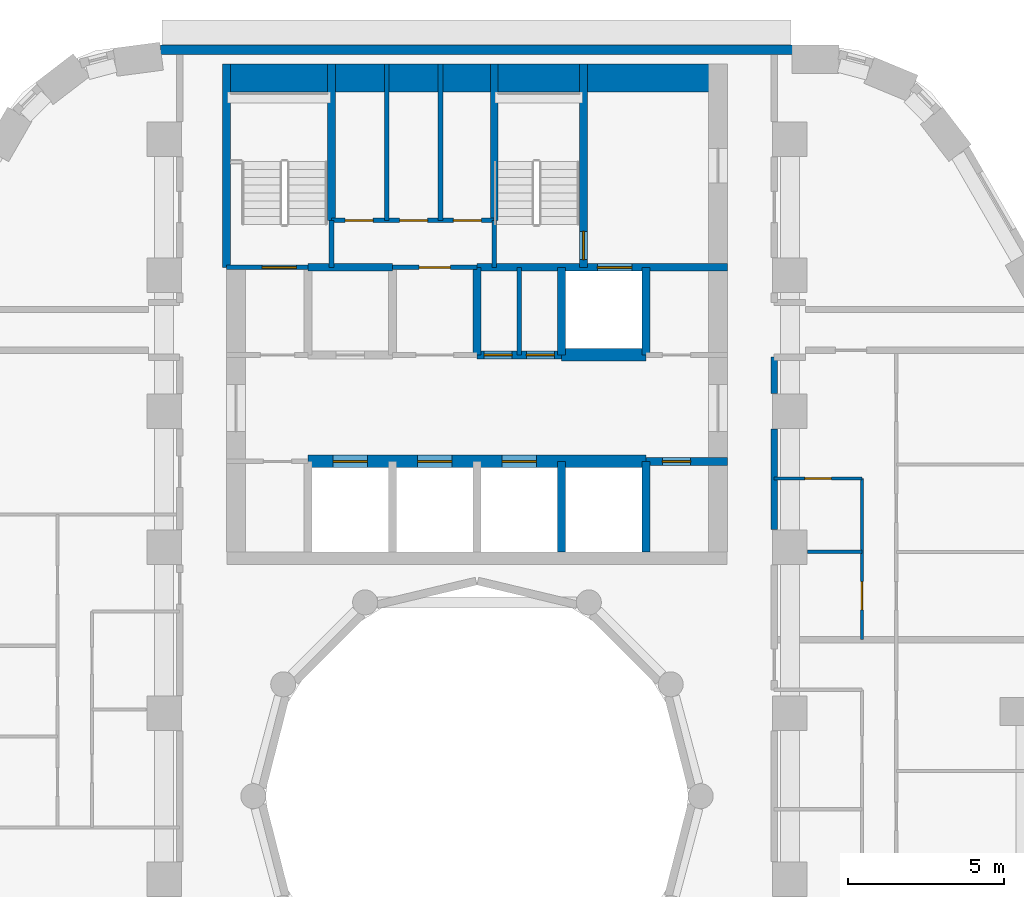
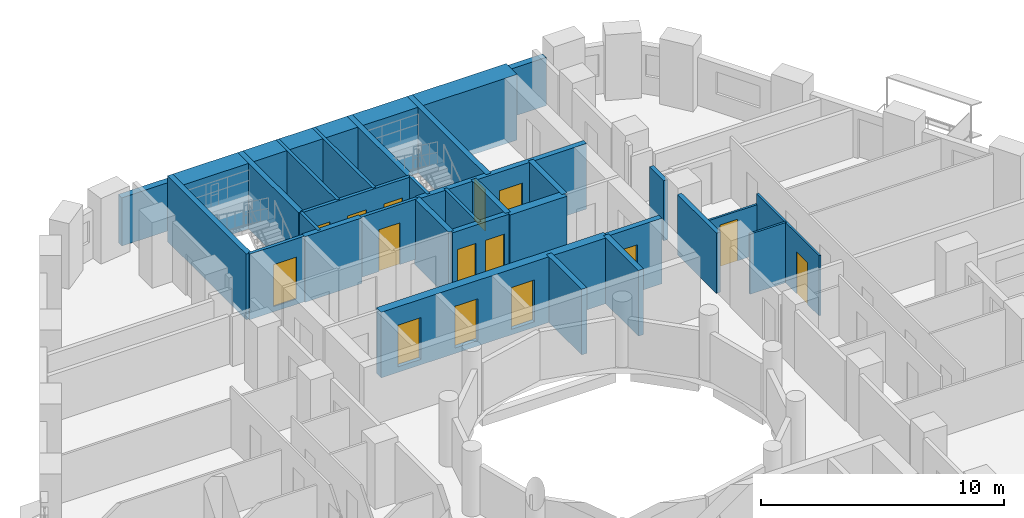
# One storey, part 8 of 13: 30 walls, 15 doors, 15 openings.
"""IFC4 building model written with IfcOpenShell, lengths in metres."""

from ifc_helpers import new_model, si_unit, direction, frame, frame_2d, origin, place, context, subcontext, project, spatial, rectangle, extrude, material, layer, layer_set, type_object, element, fill, save


model = new_model("IFC4")

# Units and contexts
model_context = context("Model", 3, precision=1e-05, world=origin(), true_north=direction((0.0, 1.0)))
body_context = subcontext(model_context, "Body", "Model", "MODEL_VIEW")
ifc_project = project(units=[si_unit("LENGTHUNIT", "METRE"), si_unit("AREAUNIT", "SQUARE_METRE"), si_unit("VOLUMEUNIT", "CUBIC_METRE"), si_unit("PLANEANGLEUNIT", "RADIAN"), si_unit("MASSUNIT", "GRAM", prefix="KILO")], contexts=[model_context])

# Site, building, storey
site_placement = place(None, origin())
site = spatial("IfcSite", under=ifc_project, at=site_placement, CompositionType="ELEMENT")
building_placement = place(site_placement, origin())
building = spatial("IfcBuilding", under=site, at=building_placement, Name="Nakaniwa Court", CompositionType="ELEMENT")
storey_placement = place(building_placement, frame((0.0, 0.0, 64.5)))
storey = spatial("IfcBuildingStorey", under=building, at=storey_placement, Name="L17", CompositionType="ELEMENT", Elevation=64.5)

# Walls
ifc_material_1 = material(Name="Acoustic double stud partition")
ifc_layer_1 = layer(ifc_material_1, 0.199951171875)
ifc_layer_set_1 = layer_set([ifc_layer_1], Name="Acoustic double stud partition")
wall_type_1 = type_object("IfcWallType", Name="Acoustic double stud partition 200", PredefinedType="PARTITIONING", material=ifc_layer_set_1)
wall_1_placement = place(storey_placement, frame((89.5, 88.51708984375, 0.0), z_axis=(0.0, 0.0, 1.0), x_axis=(0.0, 1.0, 0.0)))
element("IfcWall", 1, at=wall_1_placement, inside=storey, type_object=wall_type_1, Name="Partition PW-079", PredefinedType="PARTITIONING", context=body_context, shape_type="SweptSolid", body=[
    extrude(rectangle(XDim=3.2158203125, YDim=0.199951171875, at=frame_2d((1.60791015625, 0.0))), origin(), (0.0, 0.0, 1.0), 3.02490234375),
])
wall_2_placement = place(storey_placement, frame((89.5, 92.866943359375, 0.0), z_axis=(0.0, 0.0, 1.0), x_axis=(0.0, 1.0, 0.0)))
element("IfcWall", 2, at=wall_2_placement, inside=storey, type_object=wall_type_1, Name="Partition PW-080", PredefinedType="PARTITIONING", context=body_context, shape_type="SweptSolid", body=[
    extrude(rectangle(XDim=1.1611328125, YDim=0.199951171875, at=frame_2d((0.58056640625, 0.0))), origin(), (0.0, 0.0, 1.0), 3.02490234375),
])
ifc_material_2 = material(Name="Charcoal ceramic cladding")
ifc_layer_2 = layer(ifc_material_2, 0.02, Name="Ceramic cladding")
ifc_material_3 = material(Name="Ventilated air cavity")
ifc_layer_3 = layer(ifc_material_3, 0.04, ventilated=True, Name="Ventilated cavity")
ifc_material_4 = material(Name="Mineral wool insulation")
ifc_layer_4 = layer(ifc_material_4, 0.1, Name="Insulation")
ifc_material_5 = material(Name="Cement bonded sheathing board")
ifc_layer_5 = layer(ifc_material_5, 0.012, Name="Sheathing")
ifc_material_6 = material(Name="Cold-formed galvanised stud frame with mineral wool infill")
ifc_layer_6 = layer(ifc_material_6, 0.1, Name="Stud frame")
ifc_material_7 = material(Name="Fire-rated gypsum plasterboard lining")
ifc_layer_7 = layer(ifc_material_7, 0.028, Name="Lining")
ifc_layer_set_2 = layer_set([ifc_layer_2, ifc_layer_3, ifc_layer_4, ifc_layer_5, ifc_layer_6, ifc_layer_7], Name="Charcoal ceramic faced external wall system")
wall_type_2 = type_object("IfcWallType", Name="Black ceramic faced external wall 300", PredefinedType="SOLIDWALL", material=ifc_layer_set_2)
wall_3_placement = place(storey_placement, frame((90.07861328125, 103.85009765625, 0.0), z_axis=(0.0, 0.0, 1.0), x_axis=(-1.0, 0.0, 0.0)))
element("IfcWall", 3, at=wall_3_placement, inside=storey, type_object=wall_type_2, Name="L17 external wall 08", PredefinedType="SOLIDWALL", context=body_context, shape_type="SweptSolid", body=[
    extrude(rectangle(XDim=20.1904296875, YDim=0.300048828125, at=frame_2d((10.09521484375, 0.0))), origin(), (0.0, 0.0, 1.0), 2.425048828125),
])

# Wall, opening, door
ifc_material_8 = material(Name="Blockwork partition", Category="masonry")
ifc_layer_8 = layer(ifc_material_8, 0.14990234375)
ifc_layer_set_3 = layer_set([ifc_layer_8], Name="Blockwork partition")
wall_type_3 = type_object("IfcWallType", Name="Blockwork partition 150", PredefinedType="PARTITIONING", material=ifc_layer_set_3)
wall_4_placement = place(storey_placement, frame((77.300048828125, 96.89990234375, 0.0), z_axis=(0.0, 0.0, 1.0), x_axis=(1.0, 0.0, 0.0)))
wall_4 = element("IfcWall", 4, at=wall_4_placement, inside=storey, type_object=wall_type_3, Name="Partition PW-025", PredefinedType="PARTITIONING", context=body_context, shape_type="SweptSolid", body=[
    extrude(rectangle(XDim=2.699951171875, YDim=0.14990234375, at=frame_2d((1.35009765625, 0.0))), origin(), (0.0, 0.0, 1.0), 3.02490234375),
])
opening_1_placement = place(wall_4_placement, frame((0.85009765625, 0.0, 0.0)))
opening_1 = element("IfcOpeningElement", 5, at=opening_1_placement, cuts=wall_4, Name="Opening D-23-01", PredefinedType="OPENING", context=body_context, shape_type="SweptSolid", body=[
    extrude(rectangle(XDim=1.0, YDim=2.10009765625, at=frame_2d((0.5, 1.050048828125))), frame((0.0, 0.0849609375, 0.0), z_axis=(0.0, -1.0, 0.0), x_axis=(1.0, 0.0, 0.0)), (0.0, 0.0, 1.0), 0.169921875),
])
ifc_material_9 = material(Name="Fire rated steel door set", Category="steel")
door_type_1 = type_object("IfcDoorType", Name="Service room door 1000", OperationType="NOTDEFINED", PredefinedType="DOOR", material=ifc_material_9)
door_1_placement = place(opening_1_placement, origin())
door_1 = element("IfcDoor", 6, at=door_1_placement, inside=storey, type_object=door_type_1, Name="Door D-23-01 L17-009", OperationType="SINGLE_SWING_RIGHT", OverallHeight=2.10009765625, OverallWidth=1.0, PredefinedType="DOOR", context=body_context, shape_type="SweptSolid", body=[
    extrude(rectangle(XDim=1.0, YDim=2.10009765625, at=frame_2d((0.5, 1.050048828125))), frame((0.0, 0.02490234375, 0.0), z_axis=(0.0, -1.0, 0.0), x_axis=(1.0, 0.0, 0.0)), (0.0, 0.0, 1.0), 0.050048828125),
])
fill(opening_1, door_1)

# Wall
wall_5_placement = place(storey_placement, frame((81.35009765625, 94.10009765625, 0.0), z_axis=(0.0, 0.0, 1.0), x_axis=(0.0, 1.0, 0.0)))
element("IfcWall", 7, at=wall_5_placement, inside=storey, type_object=wall_type_3, Name="Partition PW-026", PredefinedType="PARTITIONING", context=body_context, shape_type="SweptSolid", body=[
    extrude(rectangle(XDim=2.7998046875, YDim=0.14990234375, at=frame_2d((1.39990234375, 0.0))), origin(), (0.0, 0.0, 1.0), 3.02490234375),
])

# Wall, openings, doors
wall_6_placement = place(storey_placement, frame((75.35009765625, 98.39990234375, 0.0), z_axis=(0.0, 0.0, 1.0), x_axis=(1.0, 0.0, 0.0)))
wall_6 = element("IfcWall", 8, at=wall_6_placement, inside=storey, type_object=wall_type_3, Name="Partition PW-033", PredefinedType="PARTITIONING", context=body_context, shape_type="SweptSolid", body=[
    extrude(rectangle(XDim=5.199951171875, YDim=0.14990234375, at=frame_2d((2.60009765625, 0.0))), origin(), (0.0, 0.0, 1.0), 3.02490234375),
])
opening_2_placement = place(wall_6_placement, frame((0.43408203125, 0.0, 0.0)))
opening_2 = element("IfcOpeningElement", 9, at=opening_2_placement, cuts=wall_6, Name="Opening D-05-07", PredefinedType="OPENING", context=body_context, shape_type="SweptSolid", body=[
    extrude(rectangle(XDim=0.89990234375, YDim=2.10009765625, at=frame_2d((0.449951171875, 1.050048828125))), frame((0.0, 0.0849609375, 0.0), z_axis=(0.0, -1.0, 0.0), x_axis=(1.0, 0.0, 0.0)), (0.0, 0.0, 1.0), 0.169921875),
])
opening_3_placement = place(wall_6_placement, frame((2.176025390625, 0.0, 0.0)))
opening_3 = element("IfcOpeningElement", 10, at=opening_3_placement, cuts=wall_6, Name="Opening D-05-08", PredefinedType="OPENING", context=body_context, shape_type="SweptSolid", body=[
    extrude(rectangle(XDim=0.89990234375, YDim=2.10009765625, at=frame_2d((0.449951171875, 1.050048828125))), frame((0.0, 0.0849609375, 0.0), z_axis=(0.0, -1.0, 0.0), x_axis=(1.0, 0.0, 0.0)), (0.0, 0.0, 1.0), 0.169921875),
])
opening_4_placement = place(wall_6_placement, frame((3.89208984375, 0.0, 0.0)))
opening_4 = element("IfcOpeningElement", 11, at=opening_4_placement, cuts=wall_6, Name="Opening D-05-09", PredefinedType="OPENING", context=body_context, shape_type="SweptSolid", body=[
    extrude(rectangle(XDim=0.89990234375, YDim=2.10009765625, at=frame_2d((0.449951171875, 1.050048828125))), frame((0.0, 0.0849609375, 0.0), z_axis=(0.0, -1.0, 0.0), x_axis=(1.0, 0.0, 0.0)), (0.0, 0.0, 1.0), 0.169921875),
])
door_type_2 = type_object("IfcDoorType", Name="Service room door 900", OperationType="NOTDEFINED", PredefinedType="DOOR", material=ifc_material_9)
door_2_placement = place(opening_2_placement, origin())
door_2 = element("IfcDoor", 12, at=door_2_placement, inside=storey, type_object=door_type_2, Name="Door D-05-07 L17-010", OperationType="SINGLE_SWING_LEFT", OverallHeight=2.10009765625, OverallWidth=0.89990234375, PredefinedType="DOOR", context=body_context, shape_type="SweptSolid", body=[
    extrude(rectangle(XDim=0.89990234375, YDim=2.10009765625, at=frame_2d((0.449951171875, 1.050048828125))), frame((0.0, 0.02490234375, 0.0), z_axis=(0.0, -1.0, 0.0), x_axis=(1.0, 0.0, 0.0)), (0.0, 0.0, 1.0), 0.050048828125),
])
fill(opening_2, door_2)
door_3_placement = place(opening_3_placement, origin())
door_3 = element("IfcDoor", 13, at=door_3_placement, inside=storey, type_object=door_type_2, Name="Door D-05-08 L17-011", OperationType="SINGLE_SWING_RIGHT", OverallHeight=2.10009765625, OverallWidth=0.89990234375, PredefinedType="DOOR", context=body_context, shape_type="SweptSolid", body=[
    extrude(rectangle(XDim=0.89990234375, YDim=2.10009765625, at=frame_2d((0.449951171875, 1.050048828125))), frame((0.0, 0.02490234375, 0.0), z_axis=(0.0, -1.0, 0.0), x_axis=(1.0, 0.0, 0.0)), (0.0, 0.0, 1.0), 0.050048828125),
])
fill(opening_3, door_3)
door_4_placement = place(opening_4_placement, origin())
door_4 = element("IfcDoor", 14, at=door_4_placement, inside=storey, type_object=door_type_2, Name="Door D-05-09 L17-012", OperationType="SINGLE_SWING_LEFT", OverallHeight=2.10009765625, OverallWidth=0.89990234375, PredefinedType="DOOR", context=body_context, shape_type="SweptSolid", body=[
    extrude(rectangle(XDim=0.89990234375, YDim=2.10009765625, at=frame_2d((0.449951171875, 1.050048828125))), frame((0.0, 0.02490234375, 0.0), z_axis=(0.0, -1.0, 0.0), x_axis=(1.0, 0.0, 0.0)), (0.0, 0.0, 1.0), 0.050048828125),
])
fill(opening_4, door_4)

# Walls
for number, where, z_axis, x_axis, name in (
    (15, (77.117919921875, 98.39990234375, 0.0), (0.0, 0.0, 1.0), (0.0, 1.0, 0.0), "Partition PW-034"),
    (16, (78.833984375, 98.39990234375, 0.0), (0.0, 0.0, 1.0), (0.0, 1.0, 0.0), "Partition PW-035"),
):
    element("IfcWall", number, at=place(storey_placement, frame(where, z_axis=z_axis, x_axis=x_axis)), inside=storey, type_object=wall_type_3, Name=name, PredefinedType="PARTITIONING", context=body_context, shape_type="SweptSolid", body=[
        extrude(rectangle(XDim=5.0, YDim=0.14990234375, at=frame_2d((2.5, 0.0))), origin(), (0.0, 0.0, 1.0), 3.02490234375),
    ])

# Wall, openings, doors
ifc_material_10 = material(Name="Concrete C100/115", Category="concrete")
ifc_layer_9 = layer(ifc_material_10, 0.39990234375)
ifc_layer_set_4 = layer_set([ifc_layer_9], Name="Concrete C100/115")
wall_type_4 = type_object("IfcWallType", Name="Concrete core spine wall 400 C100", PredefinedType="SHEAR", material=ifc_layer_set_4)
wall_7_placement = place(storey_placement, frame((74.60009765625, 90.699951171875, -0.27490234375), z_axis=(0.0, 0.0, 1.0), x_axis=(1.0, 0.0, 0.0)))
wall_7 = element("IfcWall", 17, at=wall_7_placement, inside=storey, type_object=wall_type_4, Name="Core wall SW-07", PredefinedType="SHEAR", context=body_context, shape_type="SweptSolid", body=[
    extrude(rectangle(XDim=10.7998046875, YDim=0.39990234375, at=frame_2d((5.39990234375, 0.0))), origin(), (0.0, 0.0, 1.0), 3.2998046875),
])
opening_5_placement = place(wall_7_placement, frame((0.800048828125, 0.0, 0.27490234375)))
opening_5 = element("IfcOpeningElement", 18, at=opening_5_placement, cuts=wall_7, Name="Opening LD01", PredefinedType="OPENING", context=body_context, shape_type="SweptSolid", body=[
    extrude(rectangle(XDim=1.10009765625, YDim=2.10009765625, at=frame_2d((0.550048828125, 1.050048828125))), frame((0.0, 0.2099609375, 0.0), z_axis=(0.0, -1.0, 0.0), x_axis=(1.0, 0.0, 0.0)), (0.0, 0.0, 1.0), 0.419921875),
])
opening_6_placement = place(wall_7_placement, frame((3.5, 0.0, 0.27490234375)))
opening_6 = element("IfcOpeningElement", 19, at=opening_6_placement, cuts=wall_7, Name="Opening LD02", PredefinedType="OPENING", context=body_context, shape_type="SweptSolid", body=[
    extrude(rectangle(XDim=1.10009765625, YDim=2.10009765625, at=frame_2d((0.550048828125, 1.050048828125))), frame((0.0, 0.2099609375, 0.0), z_axis=(0.0, -1.0, 0.0), x_axis=(1.0, 0.0, 0.0)), (0.0, 0.0, 1.0), 0.419921875),
])
opening_7_placement = place(wall_7_placement, frame((6.199951171875, 0.0, 0.27490234375)))
opening_7 = element("IfcOpeningElement", 20, at=opening_7_placement, cuts=wall_7, Name="Opening LD03", PredefinedType="OPENING", context=body_context, shape_type="SweptSolid", body=[
    extrude(rectangle(XDim=1.10009765625, YDim=2.10009765625, at=frame_2d((0.550048828125, 1.050048828125))), frame((0.0, 0.2099609375, 0.0), z_axis=(0.0, -1.0, 0.0), x_axis=(1.0, 0.0, 0.0)), (0.0, 0.0, 1.0), 0.419921875),
])
ifc_material_11 = material(Name="Stainless steel sliding lift landing door", Category="steel")
door_type_3 = type_object("IfcDoorType", Name="Lift landing door 1100", OperationType="NOTDEFINED", PredefinedType="DOOR", material=ifc_material_11)
door_5_placement = place(opening_5_placement, origin())
door_5 = element("IfcDoor", 21, at=door_5_placement, inside=storey, type_object=door_type_3, Name="Lift landing door LD01 L17-001", OperationType="SLIDING_TO_LEFT", OverallHeight=2.10009765625, OverallWidth=1.10009765625, PredefinedType="DOOR", context=body_context, shape_type="SweptSolid", body=[
    extrude(rectangle(XDim=1.10009765625, YDim=2.10009765625, at=frame_2d((0.550048828125, 1.050048828125))), frame((0.0, 0.02490234375, 0.0), z_axis=(0.0, -1.0, 0.0), x_axis=(1.0, 0.0, 0.0)), (0.0, 0.0, 1.0), 0.050048828125),
])
fill(opening_5, door_5)
door_6_placement = place(opening_6_placement, origin())
door_6 = element("IfcDoor", 22, at=door_6_placement, inside=storey, type_object=door_type_3, Name="Lift landing door LD02 L17-002", OperationType="SLIDING_TO_LEFT", OverallHeight=2.10009765625, OverallWidth=1.10009765625, PredefinedType="DOOR", context=body_context, shape_type="SweptSolid", body=[
    extrude(rectangle(XDim=1.10009765625, YDim=2.10009765625, at=frame_2d((0.550048828125, 1.050048828125))), frame((0.0, 0.02490234375, 0.0), z_axis=(0.0, -1.0, 0.0), x_axis=(1.0, 0.0, 0.0)), (0.0, 0.0, 1.0), 0.050048828125),
])
fill(opening_6, door_6)
door_7_placement = place(opening_7_placement, origin())
door_7 = element("IfcDoor", 23, at=door_7_placement, inside=storey, type_object=door_type_3, Name="Lift landing door LD03 L17-003", OperationType="SLIDING_TO_LEFT", OverallHeight=2.10009765625, OverallWidth=1.10009765625, PredefinedType="DOOR", context=body_context, shape_type="SweptSolid", body=[
    extrude(rectangle(XDim=1.10009765625, YDim=2.10009765625, at=frame_2d((0.550048828125, 1.050048828125))), frame((0.0, 0.02490234375, 0.0), z_axis=(0.0, -1.0, 0.0), x_axis=(1.0, 0.0, 0.0)), (0.0, 0.0, 1.0), 0.050048828125),
])
fill(opening_7, door_7)

# Wall
wall_8_placement = place(storey_placement, frame((82.697021484375, 94.10009765625, -0.27490234375), z_axis=(0.0, 0.0, 1.0), x_axis=(1.0, 0.0, 0.0)))
element("IfcWall", 24, at=wall_8_placement, inside=storey, type_object=wall_type_4, Name="Core wall SW-21", PredefinedType="SHEAR", context=body_context, shape_type="SweptSolid", body=[
    extrude(rectangle(XDim=2.7060546875, YDim=0.39990234375, at=frame_2d((1.35302734375, 0.0))), origin(), (0.0, 0.0, 1.0), 3.2998046875),
])

# Wall, opening, door
ifc_layer_10 = layer(ifc_material_10, 0.14990234375)
ifc_layer_set_5 = layer_set([ifc_layer_10], Name="Concrete C100/115")
wall_type_5 = type_object("IfcWallType", Name="Concrete core wall 150 C100", PredefinedType="SHEAR", material=ifc_layer_set_5)
wall_9_placement = place(storey_placement, frame((74.60009765625, 96.89990234375, -0.27490234375), z_axis=(0.0, 0.0, 1.0), x_axis=(-1.0, 0.0, 0.0)))
wall_9 = element("IfcWall", 25, at=wall_9_placement, inside=storey, type_object=wall_type_5, Name="Core wall SW-22", PredefinedType="SHEAR", context=body_context, shape_type="SweptSolid", body=[
    extrude(rectangle(XDim=2.60009765625, YDim=0.14990234375, at=frame_2d((1.300048828125, 0.0))), origin(), (0.0, 0.0, 1.0), 3.2998046875),
])
opening_8_placement = place(wall_9_placement, frame((0.3701171875, 0.0, 0.27490234375)))
opening_8 = element("IfcOpeningElement", 26, at=opening_8_placement, cuts=wall_9, Name="Opening D-09-01", PredefinedType="OPENING", context=body_context, shape_type="SweptSolid", body=[
    extrude(rectangle(XDim=1.10009765625, YDim=2.10009765625, at=frame_2d((0.550048828125, 1.050048828125))), frame((0.0, 0.0849609375, 0.0), z_axis=(0.0, -1.0, 0.0), x_axis=(1.0, 0.0, 0.0)), (0.0, 0.0, 1.0), 0.169921875),
])
door_type_4 = type_object("IfcDoorType", Name="Stair door 1100", OperationType="NOTDEFINED", PredefinedType="DOOR", material=ifc_material_9)
door_8_placement = place(opening_8_placement, origin())
door_8 = element("IfcDoor", 27, at=door_8_placement, inside=storey, type_object=door_type_4, Name="Door D-09-01 L17-013", OperationType="SINGLE_SWING_LEFT", OverallHeight=2.10009765625, OverallWidth=1.10009765625, PredefinedType="DOOR", context=body_context, shape_type="SweptSolid", body=[
    extrude(rectangle(XDim=1.10009765625, YDim=2.10009765625, at=frame_2d((0.550048828125, 1.050048828125))), frame((0.0, 0.02490234375, 0.0), z_axis=(0.0, -1.0, 0.0), x_axis=(1.0, 0.0, 0.0)), (0.0, 0.0, 1.0), 0.050048828125),
])
fill(opening_8, door_8)

# Walls
for number, where, z_axis, x_axis, name in (
    (28, (75.35009765625, 96.89990234375, -0.27490234375), (0.0, 0.0, 1.0), (0.0, 1.0, 0.0), "Core wall SW-27"),
    (29, (80.550048828125, 96.89990234375, -0.27490234375), (0.0, 0.0, 1.0), (0.0, 1.0, 0.0), "Core wall SW-31"),
):
    element("IfcWall", number, at=place(storey_placement, frame(where, z_axis=z_axis, x_axis=x_axis)), inside=storey, type_object=wall_type_5, Name=name, PredefinedType="SHEAR", context=body_context, shape_type="SweptSolid", body=[
        extrude(rectangle(XDim=1.503173828125, YDim=0.14990234375, at=frame_2d((0.75146484375, 0.0))), origin(), (0.0, 0.0, 1.0), 3.2998046875),
    ])
ifc_layer_11 = layer(ifc_material_10, 0.25)
ifc_layer_set_6 = layer_set([ifc_layer_11], Name="Concrete C100/115")
wall_type_6 = type_object("IfcWallType", Name="Concrete core wall 250 C100", PredefinedType="SHEAR", material=ifc_layer_set_6)
wall_10_placement = place(storey_placement, frame((72.0, 96.89990234375, -0.27490234375), z_axis=(0.0, 0.0, 1.0), x_axis=(0.0, 1.0, 0.0)))
element("IfcWall", 30, at=wall_10_placement, inside=storey, type_object=wall_type_6, Name="Core wall SW-29", PredefinedType="SHEAR", context=body_context, shape_type="SweptSolid", body=[
    extrude(rectangle(XDim=6.5, YDim=0.25, at=frame_2d((3.25, 0.0))), origin(), (0.0, 0.0, 1.0), 3.2998046875),
])
ifc_layer_12 = layer(ifc_material_10, 0.89990234375)
ifc_layer_set_7 = layer_set([ifc_layer_12], Name="Concrete C100/115")
wall_type_7 = type_object("IfcWallType", Name="Concrete core wall 900 C100", PredefinedType="SHEAR", material=ifc_layer_set_7)
wall_11_placement = place(storey_placement, frame((72.00390625, 102.949951171875, -0.27490234375), z_axis=(0.0, 0.0, 1.0), x_axis=(1.0, 0.0, 0.0)))
element("IfcWall", 31, at=wall_11_placement, inside=storey, type_object=wall_type_7, Name="Core wall SW-135", PredefinedType="SHEAR", context=body_context, shape_type="SweptSolid", body=[
    extrude(rectangle(XDim=15.9921875, YDim=0.89990234375, at=frame_2d((7.99609375, 0.0))), origin(), (0.0, 0.0, 1.0), 3.2998046875),
])
ifc_layer_13 = layer(ifc_material_10, 0.25)
ifc_layer_set_8 = layer_set([ifc_layer_13], Name="Concrete C100/115")
wall_type_8 = type_object("IfcWallType", Name="Concrete shaft wall 250 C100", PredefinedType="SHEAR", material=ifc_layer_set_8)
wall_12_placement = place(storey_placement, frame((80.0, 94.10009765625, -0.27490234375), z_axis=(0.0, 0.0, 1.0), x_axis=(0.0, 1.0, 0.0)))
element("IfcWall", 32, at=wall_12_placement, inside=storey, type_object=wall_type_8, Name="Core wall SW-09", PredefinedType="SHEAR", context=body_context, shape_type="SweptSolid", body=[
    extrude(rectangle(XDim=2.7998046875, YDim=0.25, at=frame_2d((1.39990234375, 0.0))), origin(), (0.0, 0.0, 1.0), 3.2998046875),
])
wall_13_placement = place(storey_placement, frame((82.699951171875, 87.800048828125, -0.27490234375), z_axis=(0.0, 0.0, 1.0), x_axis=(0.0, 1.0, 0.0)))
element("IfcWall", 33, at=wall_13_placement, inside=storey, type_object=wall_type_8, Name="Core wall SW-10", PredefinedType="SHEAR", context=body_context, shape_type="SweptSolid", body=[
    extrude(rectangle(XDim=2.89990234375, YDim=0.25, at=frame_2d((1.449951171875, 0.0))), origin(), (0.0, 0.0, 1.0), 3.2998046875),
])
wall_14_placement = place(storey_placement, frame((82.699951171875, 94.10009765625, -0.27490234375), z_axis=(0.0, 0.0, 1.0), x_axis=(0.0, 1.0, 0.0)))
element("IfcWall", 34, at=wall_14_placement, inside=storey, type_object=wall_type_8, Name="Core wall SW-11", PredefinedType="SHEAR", context=body_context, shape_type="SweptSolid", body=[
    extrude(rectangle(XDim=2.7998046875, YDim=0.25, at=frame_2d((1.39990234375, 0.0))), origin(), (0.0, 0.0, 1.0), 3.2998046875),
])
wall_15_placement = place(storey_placement, frame((85.39990234375, 87.800048828125, -0.27490234375), z_axis=(0.0, 0.0, 1.0), x_axis=(0.0, 1.0, 0.0)))
element("IfcWall", 35, at=wall_15_placement, inside=storey, type_object=wall_type_8, Name="Core wall SW-12", PredefinedType="SHEAR", context=body_context, shape_type="SweptSolid", body=[
    extrude(rectangle(XDim=2.89990234375, YDim=0.25, at=frame_2d((1.449951171875, 0.0))), origin(), (0.0, 0.0, 1.0), 3.2998046875),
])
wall_16_placement = place(storey_placement, frame((85.39990234375, 94.10009765625, -0.27490234375), z_axis=(0.0, 0.0, 1.0), x_axis=(0.0, 1.0, 0.0)))
element("IfcWall", 36, at=wall_16_placement, inside=storey, type_object=wall_type_8, Name="Core wall SW-13", PredefinedType="SHEAR", context=body_context, shape_type="SweptSolid", body=[
    extrude(rectangle(XDim=2.7998046875, YDim=0.25, at=frame_2d((1.39990234375, 0.0))), origin(), (0.0, 0.0, 1.0), 3.2998046875),
])

# Wall, opening, door
wall_17_placement = place(storey_placement, frame((88.0, 90.699951171875, -0.27490234375), z_axis=(0.0, 0.0, 1.0), x_axis=(-1.0, 0.0, 0.0)))
wall_17 = element("IfcWall", 37, at=wall_17_placement, inside=storey, type_object=wall_type_8, Name="Core wall SW-14", PredefinedType="SHEAR", context=body_context, shape_type="SweptSolid", body=[
    extrude(rectangle(XDim=2.60009765625, YDim=0.25, at=frame_2d((1.300048828125, 0.0))), origin(), (0.0, 0.0, 1.0), 3.2998046875),
])
opening_9_placement = place(wall_17_placement, frame((1.175048828125, 0.0, 0.27490234375)))
opening_9 = element("IfcOpeningElement", 38, at=opening_9_placement, cuts=wall_17, Name="Opening D-05-02", PredefinedType="OPENING", context=body_context, shape_type="SweptSolid", body=[
    extrude(rectangle(XDim=0.89990234375, YDim=2.10009765625, at=frame_2d((0.449951171875, 1.050048828125))), frame((0.0, 0.135009765625, 0.0), z_axis=(0.0, -1.0, 0.0), x_axis=(1.0, 0.0, 0.0)), (0.0, 0.0, 1.0), 0.27001953125),
])
door_9_placement = place(opening_9_placement, origin())
door_9 = element("IfcDoor", 39, at=door_9_placement, inside=storey, type_object=door_type_2, Name="Door D-05-02 L17-002", OperationType="SINGLE_SWING_LEFT", OverallHeight=2.10009765625, OverallWidth=0.89990234375, PredefinedType="DOOR", context=body_context, shape_type="SweptSolid", body=[
    extrude(rectangle(XDim=0.89990234375, YDim=2.10009765625, at=frame_2d((0.449951171875, 1.050048828125))), frame((0.0, 0.02490234375, 0.0), z_axis=(0.0, -1.0, 0.0), x_axis=(1.0, 0.0, 0.0)), (0.0, 0.0, 1.0), 0.050048828125),
])
fill(opening_9, door_9)

# Wall, openings, doors
wall_18_placement = place(storey_placement, frame((79.9970703125, 94.10009765625, -0.27490234375), z_axis=(0.0, 0.0, 1.0), x_axis=(1.0, 0.0, 0.0)))
wall_18 = element("IfcWall", 40, at=wall_18_placement, inside=storey, type_object=wall_type_8, Name="Core wall SW-20", PredefinedType="SHEAR", context=body_context, shape_type="SweptSolid", body=[
    extrude(rectangle(XDim=2.705810546875, YDim=0.25, at=frame_2d((1.35302734375, 0.0))), origin(), (0.0, 0.0, 1.0), 3.2998046875),
])
opening_10_placement = place(wall_18_placement, frame((0.22802734375, 0.0, 0.27490234375)))
opening_10 = element("IfcOpeningElement", 41, at=opening_10_placement, cuts=wall_18, Name="Opening D-05-04", PredefinedType="OPENING", context=body_context, shape_type="SweptSolid", body=[
    extrude(rectangle(XDim=0.89990234375, YDim=2.10009765625, at=frame_2d((0.449951171875, 1.050048828125))), frame((0.0, 0.135009765625, 0.0), z_axis=(0.0, -1.0, 0.0), x_axis=(1.0, 0.0, 0.0)), (0.0, 0.0, 1.0), 0.27001953125),
])
opening_11_placement = place(wall_18_placement, frame((1.577880859375, 0.0, 0.27490234375)))
opening_11 = element("IfcOpeningElement", 42, at=opening_11_placement, cuts=wall_18, Name="Opening D-05-05", PredefinedType="OPENING", context=body_context, shape_type="SweptSolid", body=[
    extrude(rectangle(XDim=0.89990234375, YDim=2.10009765625, at=frame_2d((0.449951171875, 1.050048828125))), frame((0.0, 0.135009765625, 0.0), z_axis=(0.0, -1.0, 0.0), x_axis=(1.0, 0.0, 0.0)), (0.0, 0.0, 1.0), 0.27001953125),
])
door_10_placement = place(opening_10_placement, origin())
door_10 = element("IfcDoor", 43, at=door_10_placement, inside=storey, type_object=door_type_2, Name="Door D-05-04 L17-006", OperationType="SINGLE_SWING_LEFT", OverallHeight=2.10009765625, OverallWidth=0.89990234375, PredefinedType="DOOR", context=body_context, shape_type="SweptSolid", body=[
    extrude(rectangle(XDim=0.89990234375, YDim=2.10009765625, at=frame_2d((0.449951171875, 1.050048828125))), frame((0.0, 0.02490234375, 0.0), z_axis=(0.0, -1.0, 0.0), x_axis=(1.0, 0.0, 0.0)), (0.0, 0.0, 1.0), 0.050048828125),
])
fill(opening_10, door_10)
door_11_placement = place(opening_11_placement, origin())
door_11 = element("IfcDoor", 44, at=door_11_placement, inside=storey, type_object=door_type_2, Name="Door D-05-05 L17-007", OperationType="SINGLE_SWING_RIGHT", OverallHeight=2.10009765625, OverallWidth=0.89990234375, PredefinedType="DOOR", context=body_context, shape_type="SweptSolid", body=[
    extrude(rectangle(XDim=0.89990234375, YDim=2.10009765625, at=frame_2d((0.449951171875, 1.050048828125))), frame((0.0, 0.02490234375, 0.0), z_axis=(0.0, -1.0, 0.0), x_axis=(1.0, 0.0, 0.0)), (0.0, 0.0, 1.0), 0.050048828125),
])
fill(opening_11, door_11)

# Wall
wall_19_placement = place(storey_placement, frame((74.60009765625, 96.89990234375, -0.27490234375), z_axis=(0.0, 0.0, 1.0), x_axis=(1.0, 0.0, 0.0)))
element("IfcWall", 45, at=wall_19_placement, inside=storey, type_object=wall_type_8, Name="Core wall SW-23", PredefinedType="SHEAR", context=body_context, shape_type="SweptSolid", body=[
    extrude(rectangle(XDim=2.699951171875, YDim=0.25, at=frame_2d((1.35009765625, 0.0))), origin(), (0.0, 0.0, 1.0), 3.2998046875),
])

# Wall, opening, door
wall_20_placement = place(storey_placement, frame((80.0, 96.89990234375, -0.27490234375), z_axis=(0.0, 0.0, 1.0), x_axis=(1.0, 0.0, 0.0)))
wall_20 = element("IfcWall", 46, at=wall_20_placement, inside=storey, type_object=wall_type_8, Name="Core wall SW-24", PredefinedType="SHEAR", context=body_context, shape_type="SweptSolid", body=[
    extrude(rectangle(XDim=8.0, YDim=0.25, at=frame_2d((4.0, 0.0))), origin(), (0.0, 0.0, 1.0), 3.2998046875),
])
opening_12_placement = place(wall_20_placement, frame((3.84912109375, 0.0, 0.27490234375)))
opening_12 = element("IfcOpeningElement", 47, at=opening_12_placement, cuts=wall_20, Name="Opening LD04", PredefinedType="OPENING", context=body_context, shape_type="SweptSolid", body=[
    extrude(rectangle(XDim=1.10009765625, YDim=2.10009765625, at=frame_2d((0.550048828125, 1.050048828125))), frame((0.0, 0.135009765625, 0.0), z_axis=(0.0, -1.0, 0.0), x_axis=(1.0, 0.0, 0.0)), (0.0, 0.0, 1.0), 0.27001953125),
])
door_12_placement = place(opening_12_placement, origin())
door_12 = element("IfcDoor", 48, at=door_12_placement, inside=storey, type_object=door_type_3, Name="Lift landing door LD04 L17-004", OperationType="SLIDING_TO_LEFT", OverallHeight=2.10009765625, OverallWidth=1.10009765625, PredefinedType="DOOR", context=body_context, shape_type="SweptSolid", body=[
    extrude(rectangle(XDim=1.10009765625, YDim=2.10009765625, at=frame_2d((0.550048828125, 1.050048828125))), frame((0.0, 0.02490234375, 0.0), z_axis=(0.0, -1.0, 0.0), x_axis=(1.0, 0.0, 0.0)), (0.0, 0.0, 1.0), 0.050048828125),
])
fill(opening_12, door_12)

# Wall
wall_21_placement = place(storey_placement, frame((75.35009765625, 98.39697265625, -0.27490234375), z_axis=(0.0, 0.0, 1.0), x_axis=(0.0, 1.0, 0.0)))
element("IfcWall", 49, at=wall_21_placement, inside=storey, type_object=wall_type_8, Name="Core wall SW-28", PredefinedType="SHEAR", context=body_context, shape_type="SweptSolid", body=[
    extrude(rectangle(XDim=5.0029296875, YDim=0.25, at=frame_2d((2.50146484375, 0.0))), origin(), (0.0, 0.0, 1.0), 3.2998046875),
])

# Wall, opening, door
wall_22_placement = place(storey_placement, frame((83.39990234375, 103.39990234375, -0.27490234375), z_axis=(0.0, 0.0, 1.0), x_axis=(0.0, -1.0, 0.0)))
wall_22 = element("IfcWall", 50, at=wall_22_placement, inside=storey, type_object=wall_type_8, Name="Core wall SW-30", PredefinedType="SHEAR", context=body_context, shape_type="SweptSolid", body=[
    extrude(rectangle(XDim=6.5, YDim=0.25, at=frame_2d((3.25, 0.0))), origin(), (0.0, 0.0, 1.0), 3.2998046875),
])
opening_13_placement = place(wall_22_placement, frame((5.35009765625, 0.0, 0.27490234375)))
opening_13 = element("IfcOpeningElement", 51, at=opening_13_placement, cuts=wall_22, Name="Opening D-11-01", PredefinedType="OPENING", context=body_context, shape_type="SweptSolid", body=[
    extrude(rectangle(XDim=0.89990234375, YDim=2.10009765625, at=frame_2d((0.449951171875, 1.050048828125))), frame((0.0, 0.135009765625, 0.0), z_axis=(0.0, -1.0, 0.0), x_axis=(1.0, 0.0, 0.0)), (0.0, 0.0, 1.0), 0.27001953125),
])
door_type_5 = type_object("IfcDoorType", Name="Stair door 900", OperationType="NOTDEFINED", PredefinedType="DOOR", material=ifc_material_9)
door_13_placement = place(opening_13_placement, origin())
door_13 = element("IfcDoor", 52, at=door_13_placement, inside=storey, type_object=door_type_5, Name="Door D-11-01 L17-014", OperationType="SINGLE_SWING_RIGHT", OverallHeight=2.10009765625, OverallWidth=0.89990234375, PredefinedType="DOOR", context=body_context, shape_type="SweptSolid", body=[
    extrude(rectangle(XDim=0.89990234375, YDim=2.10009765625, at=frame_2d((0.449951171875, 1.050048828125))), frame((0.0, 0.02490234375, 0.0), z_axis=(0.0, -1.0, 0.0), x_axis=(1.0, 0.0, 0.0)), (0.0, 0.0, 1.0), 0.050048828125),
])
fill(opening_13, door_13)

# Wall
wall_23_placement = place(storey_placement, frame((80.550048828125, 98.39697265625, -0.27490234375), z_axis=(0.0, 0.0, 1.0), x_axis=(0.0, 1.0, 0.0)))
element("IfcWall", 53, at=wall_23_placement, inside=storey, type_object=wall_type_8, Name="Core wall SW-32", PredefinedType="SHEAR", context=body_context, shape_type="SweptSolid", body=[
    extrude(rectangle(XDim=5.0029296875, YDim=0.25, at=frame_2d((2.50146484375, 0.0))), origin(), (0.0, 0.0, 1.0), 3.2998046875),
])

# Wall, opening, door
ifc_material_12 = material(Name="Single stud plasterboard partition")
ifc_layer_14 = layer(ifc_material_12, 0.10009765625)
ifc_layer_set_9 = layer_set([ifc_layer_14], Name="Single stud plasterboard partition")
wall_type_9 = type_object("IfcWallType", Name="Single stud plasterboard partition 100", PredefinedType="PARTITIONING", material=ifc_layer_set_9)
wall_24_placement = place(storey_placement, frame((92.300048828125, 85.0, 0.0), z_axis=(0.0, 0.0, 1.0), x_axis=(0.0, 1.0, 0.0)))
wall_24 = element("IfcWall", 54, at=wall_24_placement, inside=storey, type_object=wall_type_9, Name="Partition PW-116", PredefinedType="PARTITIONING", context=body_context, shape_type="SweptSolid", body=[
    extrude(rectangle(XDim=5.14990234375, YDim=0.10009765625, at=frame_2d((2.574951171875, 0.0))), origin(), (0.0, 0.0, 1.0), 3.02490234375),
])
opening_14_placement = place(wall_24_placement, frame((0.955078125, 0.0, 0.0)))
opening_14 = element("IfcOpeningElement", 55, at=opening_14_placement, cuts=wall_24, Name="Opening D-33-05", PredefinedType="OPENING", context=body_context, shape_type="SweptSolid", body=[
    extrude(rectangle(XDim=0.89990234375, YDim=2.10009765625, at=frame_2d((0.449951171875, 1.050048828125))), frame((0.0, 0.06005859375, 0.0), z_axis=(0.0, -1.0, 0.0), x_axis=(1.0, 0.0, 0.0)), (0.0, 0.0, 1.0), 0.1201171875),
])
ifc_material_13 = material(Name="Solid core timber door set, black veneer", Category="wood")
door_type_6 = type_object("IfcDoorType", Name="Internal door 900", OperationType="NOTDEFINED", PredefinedType="DOOR", material=ifc_material_13)
door_14_placement = place(opening_14_placement, origin())
door_14 = element("IfcDoor", 56, at=door_14_placement, inside=storey, type_object=door_type_6, Name="Door D-33-05 L17-038", OperationType="SINGLE_SWING_LEFT", OverallHeight=2.10009765625, OverallWidth=0.89990234375, PredefinedType="DOOR", context=body_context, shape_type="SweptSolid", body=[
    extrude(rectangle(XDim=0.89990234375, YDim=2.10009765625, at=frame_2d((0.449951171875, 1.050048828125))), frame((0.0, 0.02490234375, 0.0), z_axis=(0.0, -1.0, 0.0), x_axis=(1.0, 0.0, 0.0)), (0.0, 0.0, 1.0), 0.050048828125),
])
fill(opening_14, door_14)

# Wall
wall_25_placement = place(storey_placement, frame((90.570068359375, 87.80908203125, 0.0), z_axis=(0.0, 0.0, 1.0), x_axis=(1.0, 0.0, 0.0)))
element("IfcWall", 57, at=wall_25_placement, inside=storey, type_object=wall_type_9, Name="Partition PW-122", PredefinedType="PARTITIONING", context=body_context, shape_type="SweptSolid", body=[
    extrude(rectangle(XDim=1.72998046875, YDim=0.10009765625, at=frame_2d((0.864990234375, 0.0))), origin(), (0.0, 0.0, 1.0), 3.02490234375),
])

# Wall, opening, door
wall_26_placement = place(storey_placement, frame((92.300048828125, 90.14990234375, 0.0), z_axis=(0.0, 0.0, 1.0), x_axis=(-1.0, 0.0, 0.0)))
wall_26 = element("IfcWall", 58, at=wall_26_placement, inside=storey, type_object=wall_type_9, Name="Partition PW-123", PredefinedType="PARTITIONING", context=body_context, shape_type="SweptSolid", body=[
    extrude(rectangle(XDim=2.800048828125, YDim=0.10009765625, at=frame_2d((1.39990234375, 0.0))), origin(), (0.0, 0.0, 1.0), 2.5048828125),
])
opening_15_placement = place(wall_26_placement, frame((0.97509765625, 0.0, 0.0)))
opening_15 = element("IfcOpeningElement", 59, at=opening_15_placement, cuts=wall_26, Name="Opening D-03-02", PredefinedType="OPENING", context=body_context, shape_type="SweptSolid", body=[
    extrude(rectangle(XDim=0.85009765625, YDim=2.10009765625, at=frame_2d((0.425048828125, 1.050048828125))), frame((0.0, 0.06005859375, 0.0), z_axis=(0.0, -1.0, 0.0), x_axis=(1.0, 0.0, 0.0)), (0.0, 0.0, 1.0), 0.1201171875),
])
ifc_material_14 = material(Name="Moisture sealed timber door set", Category="wood")
door_type_7 = type_object("IfcDoorType", Name="Bathroom door 850", OperationType="NOTDEFINED", PredefinedType="DOOR", material=ifc_material_14)
door_15_placement = place(opening_15_placement, origin())
door_15 = element("IfcDoor", 60, at=door_15_placement, inside=storey, type_object=door_type_7, Name="Door D-03-02 L17-039", OperationType="SINGLE_SWING_RIGHT", OverallHeight=2.10009765625, OverallWidth=0.85009765625, PredefinedType="DOOR", context=body_context, shape_type="SweptSolid", body=[
    extrude(rectangle(XDim=0.85009765625, YDim=2.10009765625, at=frame_2d((0.425048828125, 1.050048828125))), frame((0.0, 0.02490234375, 0.0), z_axis=(0.0, -1.0, 0.0), x_axis=(1.0, 0.0, 0.0)), (0.0, 0.0, 1.0), 0.050048828125),
])
fill(opening_15, door_15)

save(model, "model.ifc")
